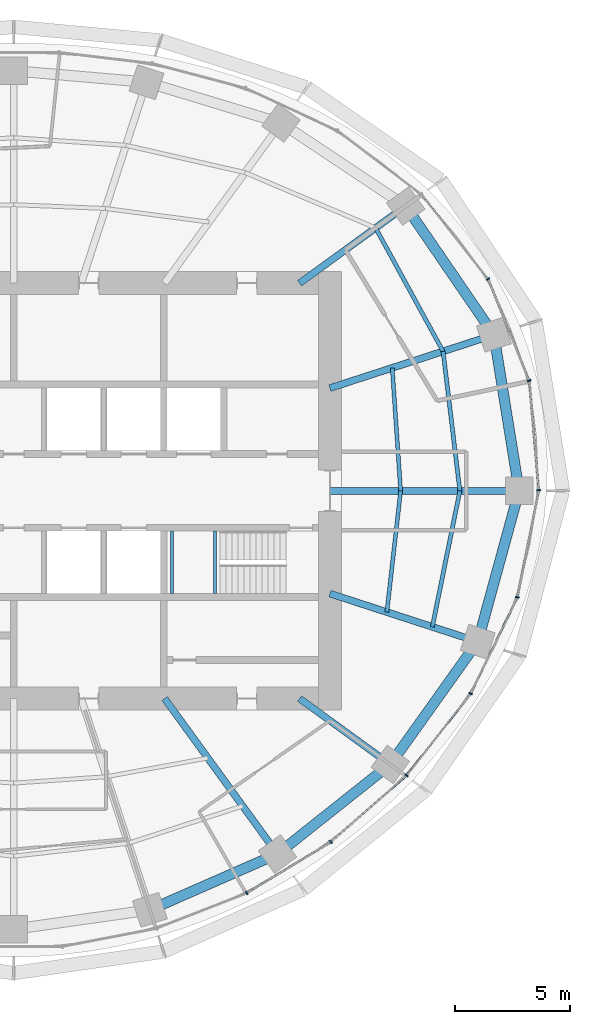
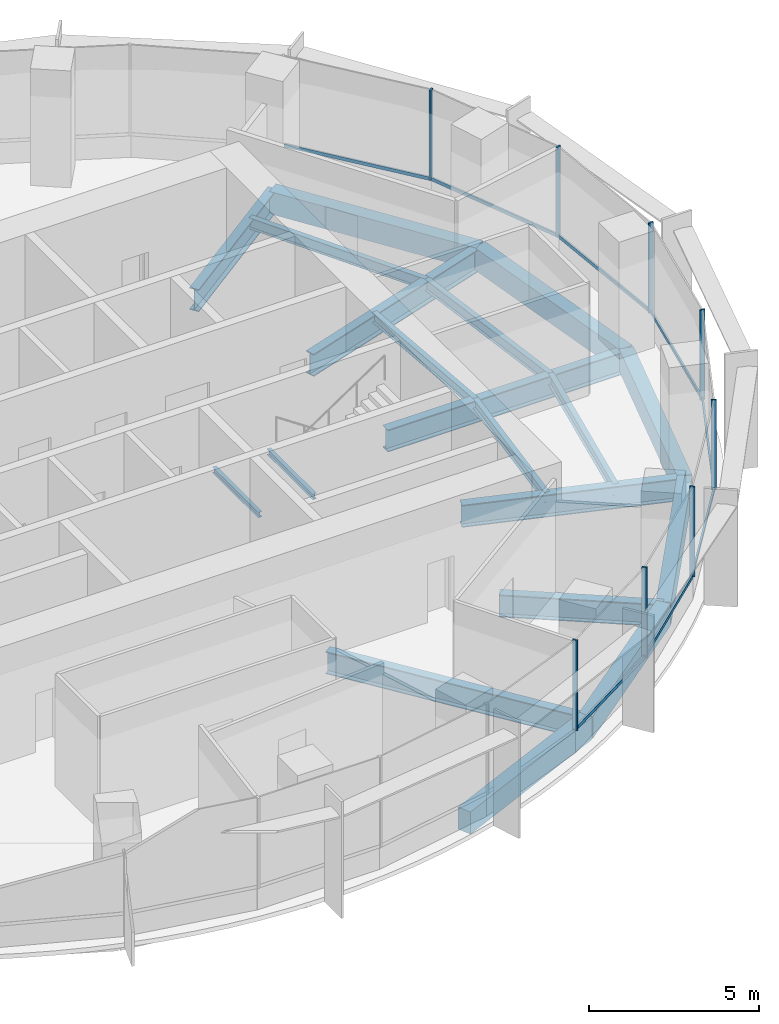
# One storey, part 5 of 13: 19 beams, 16 members, 2 elements without a shape of their own.
"""IFC4 building model written with IfcOpenShell, lengths in metres."""

from ifc_helpers import new_model, si_unit, direction, frame, origin, origin_2d, place, context, subcontext, project, spatial, rectangle, i_section, extrude, material, material_profile, profile_set, type_object, element, aggregate, save


model = new_model("IFC4")

# Units and contexts
model_context = context("Model", 3, precision=1e-05, world=origin(), true_north=direction((0.0, 1.0)))
body_context = subcontext(model_context, "Body", "Model", "MODEL_VIEW")
ifc_project = project(units=[si_unit("LENGTHUNIT", "METRE"), si_unit("AREAUNIT", "SQUARE_METRE"), si_unit("VOLUMEUNIT", "CUBIC_METRE"), si_unit("PLANEANGLEUNIT", "RADIAN"), si_unit("MASSUNIT", "GRAM", prefix="KILO")], contexts=[model_context])

# Site, building, storey
site_placement = place(None, origin())
site = spatial("IfcSite", under=ifc_project, at=site_placement, CompositionType="ELEMENT")
building_placement = place(site_placement, origin())
building = spatial("IfcBuilding", under=site, at=building_placement, Name="Marramba Exchange Tower", CompositionType="ELEMENT")
storey_placement = place(building_placement, frame((0.0, 0.0, 260.199951171875)))
storey = spatial("IfcBuildingStorey", under=building, at=storey_placement, Name="L63", CompositionType="ELEMENT", Elevation=260.199951171875)

# Curtain wall, members
ifc_material_1 = material(Name="Aluminium framing, bronze anodised", Category="aluminium")
curtain_wall_type = type_object("IfcCurtainWallType", Name="Executive floor ribbon curtain wall", PredefinedType="USERDEFINED", material=ifc_material_1)
curtain_wall_1_placement = place(storey_placement, origin())
curtain_wall_1 = element("IfcCurtainWall", 1, at=curtain_wall_1_placement, inside=storey, type_object=curtain_wall_type, Name="Curtain wall CW5 L63 F01-F05", ObjectType="RIBBON CURTAIN WALL", PredefinedType="USERDEFINED")
ifc_material_2 = material(Name="Aluminium mullion, bronze anodised", Category="aluminium")
ifc_material_profile_1 = material_profile(ifc_material_2, rectangle(XDim=0.159912109375, YDim=0.06005859375, at=origin_2d()), Name="CW5 mullion 60x160")
ifc_profile_set_1 = profile_set([ifc_material_profile_1], Name="Aluminium mullion, bronze anodised")
member_type_1 = type_object("IfcMemberType", Name="Executive floor ribbon curtain wall mullion", PredefinedType="MULLION", material=ifc_profile_set_1)
member_1_placement = place(storey_placement, frame((22.747314453125, 0.02978515625, 0.800048828125), z_axis=(0.0, 0.0, 1.0), x_axis=(-0.996331816632, -0.085574009881, 0.0)))
member_1 = element("IfcMember", 2, at=member_1_placement, type_object=member_type_1, Name="CW5 mullion 1", PredefinedType="MULLION", context=body_context, shape_type="SweptSolid", body=[
    extrude(rectangle(XDim=0.159912109375, YDim=0.06005859375, at=origin_2d()), origin(), (0.0, 0.0, 1.0), 3.239990234375),
])
member_2_placement = place(storey_placement, frame((22.330810546875, 4.77685546875, 0.800048828125), z_axis=(0.0, 0.0, 1.0), x_axis=(-0.927838139977, -0.372983090774, 0.0)))
member_2 = element("IfcMember", 3, at=member_2_placement, type_object=member_type_1, Name="CW5 mullion 1", PredefinedType="MULLION", context=body_context, shape_type="SweptSolid", body=[
    extrude(rectangle(XDim=0.159912109375, YDim=0.06005859375, at=origin_2d()), origin(), (0.0, 0.0, 1.0), 3.239990234375),
])
member_3_placement = place(storey_placement, frame((20.551025390625, 9.181884765625, 0.800048828125), z_axis=(0.0, 0.0, 1.0), x_axis=(-0.786002861604, -0.618222857512, 0.0)))
member_3 = element("IfcMember", 4, at=member_3_placement, type_object=member_type_1, Name="CW5 mullion 1", PredefinedType="MULLION", context=body_context, shape_type="SweptSolid", body=[
    extrude(rectangle(XDim=0.159912109375, YDim=0.06005859375, at=origin_2d()), origin(), (0.0, 0.0, 1.0), 3.239990234375),
])

curtain_wall_2_placement = place(storey_placement, origin())
curtain_wall_2 = element("IfcCurtainWall", 5, at=curtain_wall_2_placement, inside=storey, type_object=curtain_wall_type, Name="Curtain wall CW5 L63 F26-F30", ObjectType="RIBBON CURTAIN WALL", PredefinedType="USERDEFINED")
member_4_placement = place(storey_placement, frame((10.09619140625, -17.42724609375, 0.800048828125), z_axis=(0.0, 0.0, 1.0), x_axis=(-0.519115121209, 0.854704329539, 0.0)))
member_4 = element("IfcMember", 6, at=member_4_placement, type_object=member_type_1, Name="CW5 mullion 1", PredefinedType="MULLION", context=body_context, shape_type="SweptSolid", body=[
    extrude(rectangle(XDim=0.159912109375, YDim=0.06005859375, at=origin_2d()), origin(), (0.0, 0.0, 1.0), 3.239990234375),
])
member_5_placement = place(storey_placement, frame((13.736083984375, -15.21044921875, 0.800048828125), z_axis=(0.0, 0.0, 1.0), x_axis=(-0.658305290779, 0.752751050569, 0.0)))
member_5 = element("IfcMember", 7, at=member_5_placement, type_object=member_type_1, Name="CW5 mullion 1", PredefinedType="MULLION", context=body_context, shape_type="SweptSolid", body=[
    extrude(rectangle(XDim=0.159912109375, YDim=0.06005859375, at=origin_2d()), origin(), (0.0, 0.0, 1.0), 3.239990234375),
])
member_6_placement = place(storey_placement, frame((17.021484375, -12.329833984375, 0.800048828125), z_axis=(0.0, 0.0, 1.0), x_axis=(-0.78594954734, 0.618290634763, 0.0)))
member_6 = element("IfcMember", 8, at=member_6_placement, type_object=member_type_1, Name="CW5 mullion 1", PredefinedType="MULLION", context=body_context, shape_type="SweptSolid", body=[
    extrude(rectangle(XDim=0.159912109375, YDim=0.06005859375, at=origin_2d()), origin(), (0.0, 0.0, 1.0), 3.239990234375),
])
member_7_placement = place(storey_placement, frame((19.802978515625, -8.783935546875, 0.800048828125), z_axis=(0.0, 0.0, 1.0), x_axis=(-0.89969718031, 0.436514585945, 0.0)))
member_7 = element("IfcMember", 9, at=member_7_placement, type_object=member_type_1, Name="CW5 mullion 1", PredefinedType="MULLION", context=body_context, shape_type="SweptSolid", body=[
    extrude(rectangle(XDim=0.159912109375, YDim=0.06005859375, at=origin_2d()), origin(), (0.0, 0.0, 1.0), 3.239990234375),
])
member_8_placement = place(storey_placement, frame((21.82080078125, -4.607421875, 0.800048828125), z_axis=(0.0, 0.0, 1.0), x_axis=(-0.980268514856, 0.19767053089, 0.0)))
member_8 = element("IfcMember", 10, at=member_8_placement, type_object=member_type_1, Name="CW5 mullion 1", PredefinedType="MULLION", context=body_context, shape_type="SweptSolid", body=[
    extrude(rectangle(XDim=0.159912109375, YDim=0.06005859375, at=origin_2d()), origin(), (0.0, 0.0, 1.0), 3.239990234375),
])

# Member
ifc_material_3 = material(Name="Aluminium transom, bronze anodised", Category="aluminium")
ifc_material_profile_2 = material_profile(ifc_material_3, rectangle(XDim=0.06005859375, YDim=0.1201171875, at=origin_2d()), Name="CW5 transom 60x120")
ifc_profile_set_2 = profile_set([ifc_material_profile_2], Name="Aluminium transom, bronze anodised")
member_type_2 = type_object("IfcMemberType", Name="Executive floor ribbon curtain wall transom", PredefinedType="USERDEFINED", material=ifc_profile_set_2)
member_9_placement = place(storey_placement, frame((22.744873046875, 0.059814453125, 0.830078125), z_axis=(-0.085590935521, 0.99633036276, 0.0), x_axis=(-0.99633036276, -0.085590935521, 0.0)))
member_9 = element("IfcMember", 11, at=member_9_placement, type_object=member_type_2, Name="CW5 sill transom", ObjectType="TRANSOM", PredefinedType="USERDEFINED", context=body_context, shape_type="SweptSolid", body=[
    extrude(rectangle(XDim=0.06005859375, YDim=0.1201171875, at=origin_2d()), origin(), (0.0, 0.0, 1.0), 4.70654296875),
])

member_10_placement = place(storey_placement, frame((22.31982421875, 4.8046875, 0.830078125), z_axis=(-0.37301385018, 0.927825774364, 0.0), x_axis=(-0.927825774364, -0.37301385018, 0.0)))
member_10 = element("IfcMember", 12, at=member_10_placement, type_object=member_type_2, Name="CW5 sill transom", ObjectType="TRANSOM", PredefinedType="USERDEFINED", context=body_context, shape_type="SweptSolid", body=[
    extrude(rectangle(XDim=0.06005859375, YDim=0.1201171875, at=origin_2d()), origin(), (0.0, 0.0, 1.0), 4.692138671875),
])

member_11_placement = place(storey_placement, frame((20.532470703125, 9.205322265625, 0.830078125), z_axis=(-0.618203819414, 0.78601783546, 0.0), x_axis=(-0.78601783546, -0.618203819414, 0.0)))
member_11 = element("IfcMember", 13, at=member_11_placement, type_object=member_type_2, Name="CW5 sill transom", ObjectType="TRANSOM", PredefinedType="USERDEFINED", context=body_context, shape_type="SweptSolid", body=[
    extrude(rectangle(XDim=0.06005859375, YDim=0.1201171875, at=origin_2d()), origin(), (0.0, 0.0, 1.0), 4.625),
])

aggregate(curtain_wall_1, [member_1, member_9, member_2, member_10, member_3, member_11])

member_12_placement = place(storey_placement, frame((10.121826171875, -17.41162109375, 0.830078125), z_axis=(0.854701897511, 0.519119125434, 0.0), x_axis=(-0.519119125434, 0.854701897511, 0.0)))
member_12 = element("IfcMember", 14, at=member_12_placement, type_object=member_type_2, Name="CW5 sill transom", ObjectType="TRANSOM", PredefinedType="USERDEFINED", context=body_context, shape_type="SweptSolid", body=[
    extrude(rectangle(XDim=0.06005859375, YDim=0.1201171875, at=origin_2d()), origin(), (0.0, 0.0, 1.0), 4.2021484375),
])

member_13_placement = place(storey_placement, frame((13.758544921875, -15.19091796875, 0.830078125), z_axis=(0.752741590247, 0.658316108198, 0.0), x_axis=(-0.658316108198, 0.752741590247, 0.0)))
member_13 = element("IfcMember", 15, at=member_13_placement, type_object=member_type_2, Name="CW5 sill transom", ObjectType="TRANSOM", PredefinedType="USERDEFINED", context=body_context, shape_type="SweptSolid", body=[
    extrude(rectangle(XDim=0.06005859375, YDim=0.1201171875, at=origin_2d()), origin(), (0.0, 0.0, 1.0), 4.31005859375),
])

member_14_placement = place(storey_placement, frame((17.0400390625, -12.30615234375, 0.830078125), z_axis=(0.618320881677, 0.785925751762, 0.0), x_axis=(-0.785925751762, 0.618320881677, 0.0)))
member_14 = element("IfcMember", 16, at=member_14_placement, type_object=member_type_2, Name="CW5 sill transom", ObjectType="TRANSOM", PredefinedType="USERDEFINED", context=body_context, shape_type="SweptSolid", body=[
    extrude(rectangle(XDim=0.06005859375, YDim=0.1201171875, at=origin_2d()), origin(), (0.0, 0.0, 1.0), 4.447021484375),
])

member_15_placement = place(storey_placement, frame((19.81591796875, -8.757080078125, 0.830078125), z_axis=(0.436519399678, 0.899694844769, 0.0), x_axis=(-0.899694844769, 0.436519399678, 0.0)))
member_15 = element("IfcMember", 17, at=member_15_placement, type_object=member_type_2, Name="CW5 sill transom", ObjectType="TRANSOM", PredefinedType="USERDEFINED", context=body_context, shape_type="SweptSolid", body=[
    extrude(rectangle(XDim=0.06005859375, YDim=0.1201171875, at=origin_2d()), origin(), (0.0, 0.0, 1.0), 4.579345703125),
])

member_16_placement = place(storey_placement, frame((21.826904296875, -4.578125, 0.830078125), z_axis=(0.197654002556, 0.980271847639, 0.0), x_axis=(-0.980271847639, 0.197654002556, 0.0)))
member_16 = element("IfcMember", 18, at=member_16_placement, type_object=member_type_2, Name="CW5 sill transom", ObjectType="TRANSOM", PredefinedType="USERDEFINED", context=body_context, shape_type="SweptSolid", body=[
    extrude(rectangle(XDim=0.06005859375, YDim=0.1201171875, at=origin_2d()), origin(), (0.0, 0.0, 1.0), 4.670166015625),
])

aggregate(curtain_wall_2, [member_4, member_12, member_5, member_13, member_6, member_14, member_7, member_15, member_8, member_16])

# Beams
ifc_material_4 = material(Name="Steel AS/NZS 3679.1 grade 300", Category="steel")
ifc_material_profile_3 = material_profile(ifc_material_4, i_section(OverallWidth=0.1708984375, OverallDepth=0.35595703125, WebThickness=0.00732421875, FlangeThickness=0.011474609375, FilletRadius=0.011474609375, at=origin_2d()), Name="360UB50.7")
ifc_profile_set_3 = profile_set([ifc_material_profile_3], Name="Steel AS/NZS 3679.1 grade 300")
beam_type_1 = type_object("IfcBeamType", Name="Floor joist 360UB50.7", PredefinedType="JOIST", material=ifc_profile_set_3)
beam_1_placement = place(storey_placement, frame((16.7666015625, 0.0, -0.337890625), z_axis=(-0.068096259546, 0.99767875563, 0.0), x_axis=(-0.99767875563, -0.068096259546, 0.0)))
element("IfcBeam", 19, at=beam_1_placement, inside=storey, type_object=beam_type_1, Name="Joist L63 bay 01 row 1", PredefinedType="JOIST", context=body_context, shape_type="SweptSolid", body=[
    extrude(i_section(OverallWidth=0.1708984375, OverallDepth=0.35595703125, WebThickness=0.00732421875, FlangeThickness=0.011474609375, FilletRadius=0.011474609375, at=origin_2d()), origin(), (0.0, 0.0, 1.0), 5.342041015625),
])
beam_2_placement = place(storey_placement, frame((16.169677734375, -5.25390625, -0.337890625), z_axis=(0.112888968594, 0.993607609054, 0.0), x_axis=(-0.993607609054, 0.112888968594, 0.0)))
element("IfcBeam", 20, at=beam_2_placement, inside=storey, type_object=beam_type_1, Name="Joist L63 bay 20 row 1", PredefinedType="JOIST", context=body_context, shape_type="SweptSolid", body=[
    extrude(i_section(OverallWidth=0.1708984375, OverallDepth=0.35595703125, WebThickness=0.00732421875, FlangeThickness=0.011474609375, FilletRadius=0.011474609375, at=origin_2d()), origin(), (0.0, 0.0, 1.0), 5.28759765625),
])
ifc_material_profile_4 = material_profile(ifc_material_4, i_section(OverallWidth=0.177978515625, OverallDepth=0.403076171875, WebThickness=0.007568359375, FlangeThickness=0.010986328125, FilletRadius=0.011474609375, at=origin_2d()), Name="410UB53.7")
ifc_profile_set_4 = profile_set([ifc_material_profile_4], Name="Steel AS/NZS 3679.1 grade 300")
beam_type_2 = type_object("IfcBeamType", Name="Floor joist 410UB53.7", PredefinedType="JOIST", material=ifc_profile_set_4)
beam_3_placement = place(storey_placement, frame((19.333251953125, 0.0, -0.361572265625), z_axis=(-0.119523078538, 0.992831422597, 0.0), x_axis=(-0.992831422597, -0.119523078538, 0.0)))
element("IfcBeam", 21, at=beam_3_placement, inside=storey, type_object=beam_type_2, Name="Joist L63 bay 01 row 2", PredefinedType="JOIST", context=body_context, shape_type="SweptSolid", body=[
    extrude(i_section(OverallWidth=0.177978515625, OverallDepth=0.403076171875, WebThickness=0.007568359375, FlangeThickness=0.010986328125, FilletRadius=0.011474609375, at=origin_2d()), origin(), (0.0, 0.0, 1.0), 6.089111328125),
])
beam_4_placement = place(storey_placement, frame((18.60546875, 6.04541015625, -0.361572265625), z_axis=(-0.479584443791, 0.877495732909, 0.0), x_axis=(-0.877495732909, -0.479584443791, 0.0)))
element("IfcBeam", 22, at=beam_4_placement, inside=storey, type_object=beam_type_2, Name="Joist L63 bay 02 row 2", PredefinedType="JOIST", context=body_context, shape_type="SweptSolid", body=[
    extrude(i_section(OverallWidth=0.177978515625, OverallDepth=0.403076171875, WebThickness=0.007568359375, FlangeThickness=0.010986328125, FilletRadius=0.011474609375, at=origin_2d()), origin(), (0.0, 0.0, 1.0), 6.094970703125),
])
beam_5_placement = place(storey_placement, frame((18.1396484375, -5.893798828125, -0.361572265625), z_axis=(0.198489047047, 0.980103105904, 0.0), x_axis=(-0.980103105904, 0.198489047047, 0.0)))
element("IfcBeam", 23, at=beam_5_placement, inside=storey, type_object=beam_type_2, Name="Joist L63 bay 20 row 2", PredefinedType="JOIST", context=body_context, shape_type="SweptSolid", body=[
    extrude(i_section(OverallWidth=0.177978515625, OverallDepth=0.403076171875, WebThickness=0.007568359375, FlangeThickness=0.010986328125, FilletRadius=0.011474609375, at=origin_2d()), origin(), (0.0, 0.0, 1.0), 6.013427734375),
])
ifc_material_5 = material(Name="Steel AS/NZS 3679.2 grade 300", Category="steel")
ifc_material_profile_5 = material_profile(ifc_material_5, i_section(OverallWidth=0.300048828125, OverallDepth=0.800048828125, WebThickness=0.013916015625, FlangeThickness=0.031982421875, at=origin_2d()), Name="800WB192")
ifc_profile_set_5 = profile_set([ifc_material_profile_5], Name="Steel AS/NZS 3679.2 grade 300")
beam_type_3 = type_object("IfcBeamType", Name="Radial girder 800WB192", PredefinedType="BEAM", material=ifc_profile_set_5)
beam_6_placement = place(storey_placement, frame((13.699951171875, 0.0, -0.56005859375), z_axis=(1.0, 0.0, 0.0), x_axis=(0.0, 1.0, 0.0)))
element("IfcBeam", 24, at=beam_6_placement, inside=storey, type_object=beam_type_3, Name="Radial girder L63 TC01", PredefinedType="BEAM", context=body_context, shape_type="SweptSolid", body=[
    extrude(i_section(OverallWidth=0.300048828125, OverallDepth=0.800048828125, WebThickness=0.013916015625, FlangeThickness=0.031982421875, at=origin_2d()), origin(), (0.0, 0.0, 1.0), 8.199951171875),
])
beam_7_placement = place(storey_placement, frame((13.699951171875, 4.451416015625, -0.56005859375), z_axis=(0.951059990189, 0.309006302624, 0.0), x_axis=(-0.309006302624, 0.951059990189, 0.0)))
element("IfcBeam", 25, at=beam_7_placement, inside=storey, type_object=beam_type_3, Name="Radial girder L63 TC02", PredefinedType="BEAM", context=body_context, shape_type="SweptSolid", body=[
    extrude(i_section(OverallWidth=0.300048828125, OverallDepth=0.800048828125, WebThickness=0.013916015625, FlangeThickness=0.031982421875, at=origin_2d()), origin(), (0.0, 0.0, 1.0), 7.47412109375),
])
beam_8_placement = place(storey_placement, frame((12.387451171875, 9.0, -0.56005859375), z_axis=(0.809025746925, 0.587773205252, 0.0), x_axis=(-0.587773205252, 0.809025746925, 0.0)))
element("IfcBeam", 26, at=beam_8_placement, inside=storey, type_object=beam_type_3, Name="Radial girder L63 TC03", PredefinedType="BEAM", context=body_context, shape_type="SweptSolid", body=[
    extrude(i_section(OverallWidth=0.300048828125, OverallDepth=0.800048828125, WebThickness=0.013916015625, FlangeThickness=0.031982421875, at=origin_2d()), origin(), (0.0, 0.0, 1.0), 5.683837890625),
])
beam_9_placement = place(storey_placement, frame((6.538818359375, -9.0, -0.56005859375), z_axis=(0.587787877172, -0.809015087282, 0.0), x_axis=(0.809015087282, 0.587787877172, 0.0)))
element("IfcBeam", 27, at=beam_9_placement, inside=storey, type_object=beam_type_3, Name="Radial girder L63 TC18", PredefinedType="BEAM", context=body_context, shape_type="SweptSolid", body=[
    extrude(i_section(OverallWidth=0.300048828125, OverallDepth=0.800048828125, WebThickness=0.013916015625, FlangeThickness=0.031982421875, at=origin_2d()), origin(), (0.0, 0.0, 1.0), 8.322021484375),
])
beam_10_placement = place(storey_placement, frame((12.387451171875, -9.0, -0.56005859375), z_axis=(0.809025189606, -0.58777397236, 0.0), x_axis=(0.58777397236, 0.809025189606, 0.0)))
element("IfcBeam", 28, at=beam_10_placement, inside=storey, type_object=beam_type_3, Name="Radial girder L63 TC19", PredefinedType="BEAM", context=body_context, shape_type="SweptSolid", body=[
    extrude(i_section(OverallWidth=0.300048828125, OverallDepth=0.800048828125, WebThickness=0.013916015625, FlangeThickness=0.031982421875, at=origin_2d()), origin(), (0.0, 0.0, 1.0), 4.855224609375),
])
beam_11_placement = place(storey_placement, frame((13.699951171875, -4.451416015625, -0.56005859375), z_axis=(0.951057759669, -0.309013167637, 0.0), x_axis=(0.309013167637, 0.951057759669, 0.0)))
element("IfcBeam", 29, at=beam_11_placement, inside=storey, type_object=beam_type_3, Name="Radial girder L63 TC20", PredefinedType="BEAM", context=body_context, shape_type="SweptSolid", body=[
    extrude(i_section(OverallWidth=0.300048828125, OverallDepth=0.800048828125, WebThickness=0.013916015625, FlangeThickness=0.031982421875, at=origin_2d()), origin(), (0.0, 0.0, 1.0), 6.7392578125),
])
ifc_material_6 = material(Name="Concrete N50", Category="concrete")
ifc_material_profile_6 = material_profile(ifc_material_6, rectangle(XDim=0.449951171875, YDim=0.800048828125, at=origin_2d()), Name="RC 450x800")
ifc_profile_set_6 = profile_set([ifc_material_profile_6], Name="Concrete N50")
beam_type_4 = type_object("IfcBeamType", Name="Ring beam RC 450x800 N50", PredefinedType="SPANDREL", material=ifc_profile_set_6)
beam_12_placement = place(storey_placement, frame((21.89990234375, 0.0, -0.56005859375), z_axis=(-0.159384865399, 0.987216523708, 0.0), x_axis=(-0.987216523708, -0.159384865399, 0.0)))
element("IfcBeam", 30, at=beam_12_placement, inside=storey, type_object=beam_type_4, Name="Ring beam L63 TC01-TC02", PredefinedType="SPANDREL", context=body_context, shape_type="SweptSolid", body=[
    extrude(rectangle(XDim=0.449951171875, YDim=0.800048828125, at=origin_2d()), origin(), (0.0, 0.0, 1.0), 6.8486328125),
])
beam_13_placement = place(storey_placement, frame((20.808349609375, 6.760986328125, -0.56005859375), z_axis=(-0.56516002054, 0.824981303535, 0.0), x_axis=(-0.824981303535, -0.56516002054, 0.0)))
element("IfcBeam", 31, at=beam_13_placement, inside=storey, type_object=beam_type_4, Name="Ring beam L63 TC02-TC03", PredefinedType="SPANDREL", context=body_context, shape_type="SweptSolid", body=[
    extrude(rectangle(XDim=0.449951171875, YDim=0.800048828125, at=origin_2d()), origin(), (0.0, 0.0, 1.0), 6.763671875),
])
beam_14_placement = place(storey_placement, frame((5.899658203125, -18.156982421875, -0.56005859375), z_axis=(0.915876892158, 0.4014592363, 0.0), x_axis=(-0.4014592363, 0.915876892158, 0.0)))
element("IfcBeam", 32, at=beam_14_placement, inside=storey, type_object=beam_type_4, Name="Ring beam L63 TC17-TC18", PredefinedType="SPANDREL", context=body_context, shape_type="SweptSolid", body=[
    extrude(rectangle(XDim=0.449951171875, YDim=0.800048828125, at=origin_2d()), origin(), (0.0, 0.0, 1.0), 6.038818359375),
])
beam_15_placement = place(storey_placement, frame((11.430419921875, -15.732666015625, -0.56005859375), z_axis=(0.783139438128, 0.621846138887, 0.0), x_axis=(-0.621846138887, 0.783139438128, 0.0)))
element("IfcBeam", 33, at=beam_15_placement, inside=storey, type_object=beam_type_4, Name="Ring beam L63 TC18-TC19", PredefinedType="SPANDREL", context=body_context, shape_type="SweptSolid", body=[
    extrude(rectangle(XDim=0.449951171875, YDim=0.800048828125, at=origin_2d()), origin(), (0.0, 0.0, 1.0), 6.23779296875),
])
beam_16_placement = place(storey_placement, frame((16.3154296875, -11.853759765625, -0.56005859375), z_axis=(0.580637181111, 0.814162430914, 0.0), x_axis=(-0.814162430914, 0.580637181111, 0.0)))
element("IfcBeam", 34, at=beam_16_placement, inside=storey, type_object=beam_type_4, Name="Ring beam L63 TC19-TC20", PredefinedType="SPANDREL", context=body_context, shape_type="SweptSolid", body=[
    extrude(rectangle(XDim=0.449951171875, YDim=0.800048828125, at=origin_2d()), origin(), (0.0, 0.0, 1.0), 6.5341796875),
])
beam_17_placement = place(storey_placement, frame((20.109375, -6.533935546875, -0.56005859375), z_axis=(0.264291166956, 0.964442937176, 0.0), x_axis=(-0.964442937176, 0.264291166956, 0.0)))
element("IfcBeam", 35, at=beam_17_placement, inside=storey, type_object=beam_type_4, Name="Ring beam L63 TC20-TC01", PredefinedType="SPANDREL", context=body_context, shape_type="SweptSolid", body=[
    extrude(rectangle(XDim=0.449951171875, YDim=0.800048828125, at=origin_2d()), origin(), (0.0, 0.0, 1.0), 6.77490234375),
])
ifc_material_profile_7 = material_profile(ifc_material_4, i_section(OverallWidth=0.133056640625, OverallDepth=0.202880859375, WebThickness=0.005859375, FlangeThickness=0.0078125, FilletRadius=0.0087890625, at=origin_2d()), Name="200UB25.4")
ifc_profile_set_7 = profile_set([ifc_material_profile_7], Name="Steel AS/NZS 3679.1 grade 300")
beam_type_5 = type_object("IfcBeamType", Name="Stair landing beam 200UB25.4", PredefinedType="BEAM", material=ifc_profile_set_7)
for number, where, z_axis, x_axis, name in (
    (36, (6.866455078125, -4.449951171875, 1.798583984375), (0.0, 1.0, 0.0), (-1.0, 0.0, 0.0), "Stair landing beam SLB1 ST2 L63 1"),
    (37, (8.723388671875, -4.449951171875, 1.798583984375), (0.0, 1.0, 0.0), (-1.0, 0.0, 0.0), "Stair landing beam SLB1 ST2 L63 2"),
):
    element("IfcBeam", number, at=place(storey_placement, frame(where, z_axis=z_axis, x_axis=x_axis)), inside=storey, type_object=beam_type_5, Name=name, PredefinedType="BEAM", context=body_context, shape_type="SweptSolid", body=[
        extrude(i_section(OverallWidth=0.133056640625, OverallDepth=0.202880859375, WebThickness=0.005859375, FlangeThickness=0.0078125, FilletRadius=0.0087890625, at=origin_2d()), origin(), (0.0, 0.0, 1.0), 2.699951171875),
    ])

save(model, "model.ifc")
